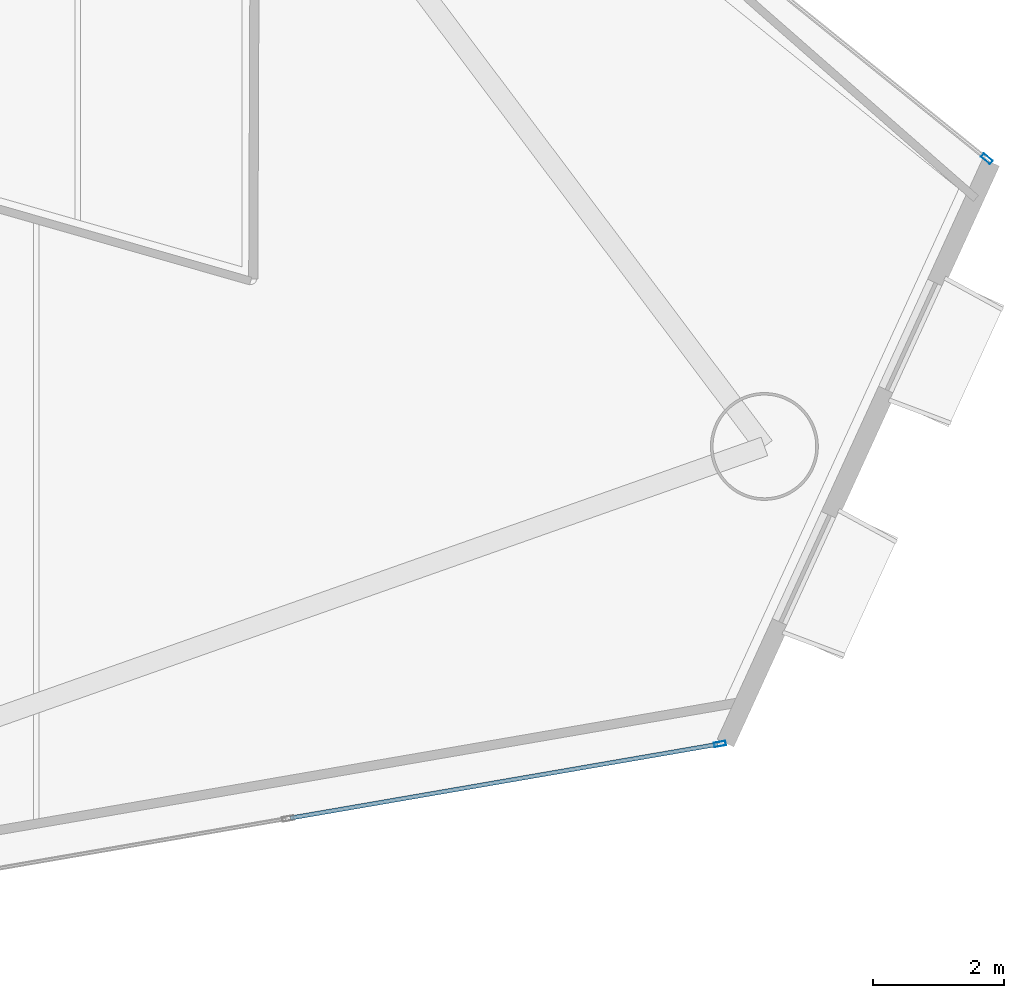
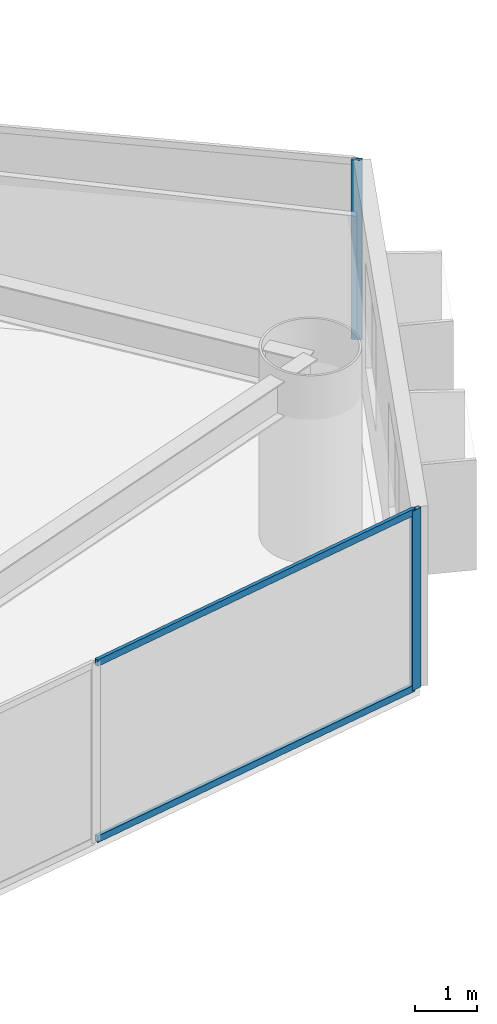
# One storey, part 12 of 23: 4 members, 2 elements without a shape of their own.
"""IFC4 building model written with IfcOpenShell, lengths in metres."""

from ifc_helpers import new_model, si_unit, direction, frame, origin, origin_2d, place, context, subcontext, project, spatial, hollow_rectangle, extrude, material, layer, layer_set, material_profile, profile_set, type_object, element, aggregate, save


model = new_model("IFC4")

# Units and contexts
model_context = context("Model", 3, precision=1e-05, world=origin(), true_north=direction((0.0, 1.0)))
body_context = subcontext(model_context, "Body", "Model", "MODEL_VIEW")
ifc_project = project(units=[si_unit("LENGTHUNIT", "METRE"), si_unit("AREAUNIT", "SQUARE_METRE"), si_unit("VOLUMEUNIT", "CUBIC_METRE"), si_unit("PLANEANGLEUNIT", "RADIAN"), si_unit("MASSUNIT", "GRAM", prefix="KILO")], contexts=[model_context])

# Site, building, storey
site_placement = place(None, origin())
site = spatial("IfcSite", under=ifc_project, at=site_placement, CompositionType="ELEMENT")
building_placement = place(site_placement, origin())
building = spatial("IfcBuilding", under=site, at=building_placement, Name="Qianvela Tower", CompositionType="ELEMENT")
storey_placement = place(building_placement, frame((0.0, 0.0, 82.10009765625)))
storey = spatial("IfcBuildingStorey", under=building, at=storey_placement, Name="L20", CompositionType="ELEMENT", Elevation=82.10009765625)

# Curtain wall, member
ifc_material_1 = material(Name="Anodised Architectural Aluminium and Low-E Glass", Category="aluminium")
ifc_layer = layer(ifc_material_1, 0.179931640625)
ifc_layer_set = layer_set([ifc_layer], Name="Anodised Architectural Aluminium and Low-E Glass")
curtain_wall_type = type_object("IfcCurtainWallType", Name="CW-COLIV-Z12", PredefinedType="USERDEFINED", material=ifc_layer_set)
curtain_wall_1_placement = place(storey_placement, origin())
curtain_wall_1 = element("IfcCurtainWall", 1, at=curtain_wall_1_placement, inside=storey, type_object=curtain_wall_type, Name="L20 CW-COLIV-Z12 Curtain Wall 02A", ObjectType="CURTAIN_WALL_SYSTEM", PredefinedType="USERDEFINED")
ifc_material_2 = material(Name="Anodised Architectural Aluminium 6063-T6", Category="aluminium")
ifc_material_profile_1 = material_profile(ifc_material_2, hollow_rectangle(XDim=0.070068359375, YDim=0.179931640625, WallThickness=0.0048828125, at=origin_2d()), Name="ALU-MULL-70x180")
ifc_profile_set_1 = profile_set([ifc_material_profile_1], Name="Anodised Architectural Aluminium 6063-T6")
member_type_1 = type_object("IfcMemberType", Name="CW-COLIV-Z12-MULL", PredefinedType="MULLION", material=ifc_profile_set_1)
member_1_placement = place(storey_placement, frame((59.599365234375, 24.865478515625, 0.0), z_axis=(0.0, 0.0, 1.0), x_axis=(-0.62814152563, -0.778099109227, 0.0)))
member_1 = element("IfcMember", 2, at=member_1_placement, type_object=member_type_1, Name="CW-3 mullion 1", PredefinedType="MULLION", context=body_context, shape_type="SweptSolid", body=[
    extrude(hollow_rectangle(XDim=0.070068359375, YDim=0.179931640625, WallThickness=0.0048828125, at=origin_2d()), origin(), (0.0, 0.0, 1.0), 3.52001953125),
])
aggregate(curtain_wall_1, [member_1])

# Curtain wall, members
curtain_wall_2_placement = place(storey_placement, origin())
curtain_wall_2 = element("IfcCurtainWall", 3, at=curtain_wall_2_placement, inside=storey, type_object=curtain_wall_type, Name="L20 CW-COLIV-Z12 Curtain Wall 06C", ObjectType="CURTAIN_WALL_SYSTEM", PredefinedType="USERDEFINED")
member_2_placement = place(storey_placement, frame((55.52001953125, 15.91943359375, 0.0), z_axis=(0.0, 0.0, 1.0), x_axis=(-0.170086606517, 0.985429117838, 0.0)))
member_2 = element("IfcMember", 4, at=member_2_placement, type_object=member_type_1, Name="CW-3 mullion 3", PredefinedType="MULLION", context=body_context, shape_type="SweptSolid", body=[
    extrude(hollow_rectangle(XDim=0.070068359375, YDim=0.179931640625, WallThickness=0.0048828125, at=origin_2d()), origin(), (0.0, 0.0, 1.0), 3.52001953125),
])
ifc_material_3 = material(Name="Anodised Architectural Aluminium 6063-T6", Category="aluminium")
ifc_material_profile_2 = material_profile(ifc_material_3, hollow_rectangle(XDim=0.06494140625, YDim=0.1298828125, WallThickness=0.00439453125, at=origin_2d()), Name="ALU-TRAN-65x130")
ifc_profile_set_2 = profile_set([ifc_material_profile_2], Name="Anodised Architectural Aluminium 6063-T6")
member_type_2 = type_object("IfcMemberType", Name="CW-COLIV-Z12-TRAN", PredefinedType="USERDEFINED", material=ifc_profile_set_2)
member_3_placement = place(storey_placement, frame((48.950439453125, 14.78564453125, 0.032470703125), z_axis=(0.985430343562, 0.170079504903, 0.0), x_axis=(-0.170079504903, 0.985430343562, 0.0)))
member_3 = element("IfcMember", 5, at=member_3_placement, type_object=member_type_2, Name="CW-3 transom 2.1", ObjectType="TRANSOM", PredefinedType="USERDEFINED", context=body_context, shape_type="SweptSolid", body=[
    extrude(hollow_rectangle(XDim=0.06494140625, YDim=0.1298828125, WallThickness=0.00439453125, at=origin_2d()), origin(), (0.0, 0.0, 1.0), 6.6318359375),
])
member_4_placement = place(storey_placement, frame((48.950439453125, 14.78564453125, 3.4873046875), z_axis=(0.985430343562, 0.170079504903, 0.0), x_axis=(-0.170079504903, 0.985430343562, 0.0)))
member_4 = element("IfcMember", 6, at=member_4_placement, type_object=member_type_2, Name="CW-3 transom 2.2", ObjectType="TRANSOM", PredefinedType="USERDEFINED", context=body_context, shape_type="SweptSolid", body=[
    extrude(hollow_rectangle(XDim=0.06494140625, YDim=0.1298828125, WallThickness=0.00439453125, at=origin_2d()), origin(), (0.0, 0.0, 1.0), 6.6318359375),
])
aggregate(curtain_wall_2, [member_2, member_3, member_4])

save(model, "model.ifc")
